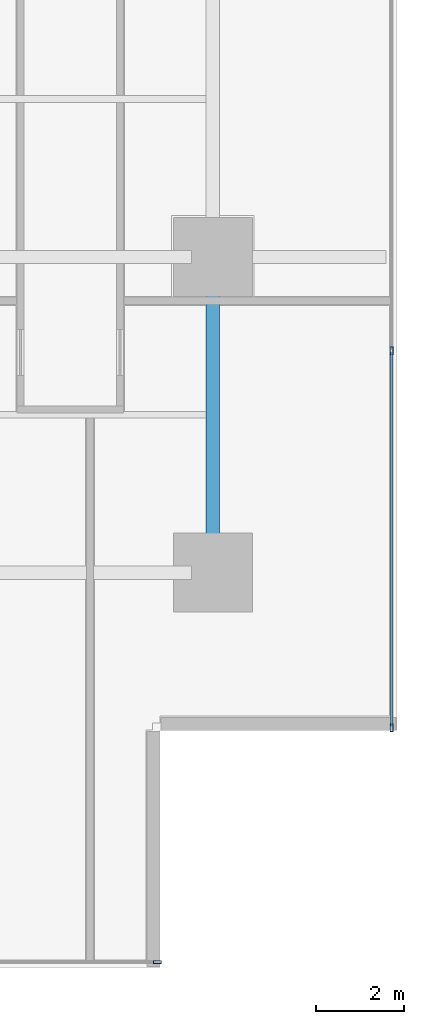
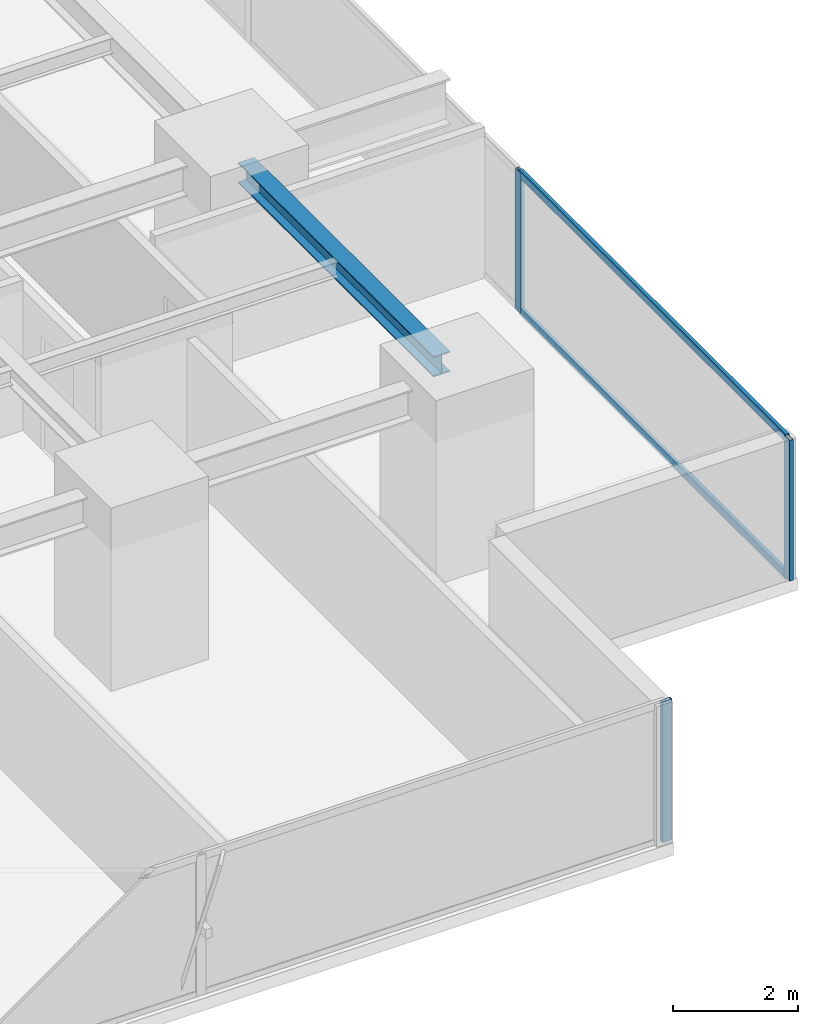
# One storey, part 13 of 34: 5 members, 1 beam, 2 elements without a shape of their own.
"""IFC4 building model written with IfcOpenShell, lengths in metres."""

from ifc_helpers import new_model, si_unit, direction, frame, origin, origin_2d, place, context, subcontext, project, spatial, hollow_rectangle, i_section, extrude, source, transform, mapped, material, layer, layer_set, material_profile, profile_set, type_object, element, aggregate, save


model = new_model("IFC4")

# Units and contexts
model_context = context("Model", 3, precision=1e-05, world=origin(), true_north=direction((0.0, 1.0)))
body_context = subcontext(model_context, "Body", "Model", "MODEL_VIEW")
ifc_project = project(units=[si_unit("LENGTHUNIT", "METRE"), si_unit("AREAUNIT", "SQUARE_METRE"), si_unit("VOLUMEUNIT", "CUBIC_METRE"), si_unit("PLANEANGLEUNIT", "RADIAN"), si_unit("MASSUNIT", "GRAM", prefix="KILO")], contexts=[model_context])

# Site, building, storey
site_placement = place(None, origin())
site = spatial("IfcSite", under=ifc_project, at=site_placement, CompositionType="ELEMENT")
building_placement = place(site_placement, origin())
building = spatial("IfcBuilding", under=site, at=building_placement, Name="Sumidabori Civic Tower", CompositionType="ELEMENT")
storey_placement = place(building_placement, frame((0.0, 0.0, 56.0)))
storey = spatial("IfcBuildingStorey", under=building, at=storey_placement, Name="L14", CompositionType="ELEMENT", Elevation=56.0)

# Beam
ifc_material_1 = material(Name="Steel SN490", Category="steel")
ifc_material_profile_1 = material_profile(ifc_material_1, i_section(OverallWidth=0.300048828125, OverallDepth=0.39990234375, WebThickness=0.013427734375, FlangeThickness=0.02392578125, at=origin_2d()), Name="HE 400 B")
ifc_profile_set_1 = profile_set([ifc_material_profile_1], Name="Steel SN490")
beam_type = type_object("IfcBeamType", Name="BM-GIRD-400", PredefinedType="BEAM", material=ifc_profile_set_1)
shared_shape_1 = source(origin(), body_context, "Body", "SweptSolid", [
    extrude(i_section(OverallWidth=0.300048828125, OverallDepth=0.39990234375, WebThickness=0.013427734375, FlangeThickness=0.02392578125, at=origin_2d()), origin(), (0.0, 0.0, 1.0), 6.239990234375),
])
beam_placement = place(storey_placement, frame((22.800048828125, -17.52001953125, 3.159912109375), z_axis=(0.0, 1.0, 0.0), x_axis=(-1.0, 0.0, 0.0)))
element("IfcBeam", 1, at=beam_placement, inside=storey, type_object=beam_type, Name="Primary Girder L14 GY-39", PredefinedType="BEAM", context=body_context, shape_type="MappedRepresentation", body=[
    mapped(shared_shape_1, transform((0.0, 0.0, 0.0), x_axis=(1.0, 0.0, 0.0), y_axis=(0.0, 1.0, 0.0), z_axis=(0.0, 0.0, 1.0), scale=1.0)),
])

# Curtain wall, member
ifc_material_2 = material(Name="Anodised Bronze Aluminium AW-6063-T6", Category="aluminium")
ifc_layer = layer(ifc_material_2, 0.179931640625, Name="Anodised Bronze Aluminium AW-6063-T6")
ifc_layer_set = layer_set([ifc_layer], Name="Anodised Bronze Aluminium AW-6063-T6")
curtain_wall_type = type_object("IfcCurtainWallType", Name="CW-SYS-2", PredefinedType="NOTDEFINED", material=ifc_layer_set)
curtain_wall_1_placement = place(storey_placement, origin())
curtain_wall_1 = element("IfcCurtainWall", 2, at=curtain_wall_1_placement, inside=storey, type_object=curtain_wall_type, Name="Curtain Wall CW:L14:R01", PredefinedType="NOTDEFINED")
ifc_material_profile_2 = material_profile(ifc_material_2, hollow_rectangle(XDim=0.070068359375, YDim=0.179931640625, WallThickness=0.006103515625, at=origin_2d()), Name="ALU MULLION 180x70")
ifc_profile_set_2 = profile_set([ifc_material_profile_2], Name="Anodised Bronze Aluminium AW-6063-T6")
member_type_1 = type_object("IfcMemberType", Name="CW-MUL-180", PredefinedType="MULLION", material=ifc_profile_set_2)
shared_shape_2 = source(origin(), body_context, "Body", "SweptSolid", [
    extrude(hollow_rectangle(XDim=0.070068359375, YDim=0.179931640625, WallThickness=0.006103515625, at=origin_2d()), origin(), (0.0, 0.0, 1.0), 2.739990234375),
])
member_1_placement = place(storey_placement, frame((21.534912109375, -26.8798828125, 0.0), z_axis=(0.0, 0.0, 1.0), x_axis=(0.0, 1.0, 0.0)))
member_1 = element("IfcMember", 3, at=member_1_placement, type_object=member_type_1, Name="CW-2 mullion 6", PredefinedType="MULLION", context=body_context, shape_type="MappedRepresentation", body=[
    mapped(shared_shape_2, transform((0.0, 0.0, 0.0), x_axis=(1.0, 0.0, 0.0), y_axis=(0.0, 1.0, 0.0), z_axis=(0.0, 0.0, 1.0), scale=1.0)),
])
aggregate(curtain_wall_1, [member_1])

# Curtain wall, members
curtain_wall_2_placement = place(storey_placement, origin())
curtain_wall_2 = element("IfcCurtainWall", 4, at=curtain_wall_2_placement, inside=storey, type_object=curtain_wall_type, Name="Curtain Wall CW:L14:R04", PredefinedType="NOTDEFINED")
member_2_placement = place(storey_placement, frame((26.8798828125, -21.534912109375, 0.0), z_axis=(0.0, 0.0, 1.0), x_axis=(-1.0, 0.0, 0.0)))
member_2 = element("IfcMember", 5, at=member_2_placement, type_object=member_type_1, Name="CW-2 mullion 1", PredefinedType="MULLION", context=body_context, shape_type="MappedRepresentation", body=[
    mapped(shared_shape_2, transform((0.0, 0.0, 0.0), x_axis=(1.0, 0.0, 0.0), y_axis=(0.0, 1.0, 0.0), z_axis=(0.0, 0.0, 1.0), scale=1.0)),
])
member_3_placement = place(storey_placement, frame((26.8798828125, -12.94189453125, 0.0), z_axis=(0.0, 0.0, 1.0), x_axis=(-1.0, 0.0, 0.0)))
member_3 = element("IfcMember", 6, at=member_3_placement, type_object=member_type_1, Name="CW-2 mullion 2", PredefinedType="MULLION", context=body_context, shape_type="MappedRepresentation", body=[
    mapped(shared_shape_2, transform((0.0, 0.0, 0.0), x_axis=(1.0, 0.0, 0.0), y_axis=(0.0, 1.0, 0.0), z_axis=(0.0, 0.0, 1.0), scale=1.0)),
])
ifc_material_profile_3 = material_profile(ifc_material_2, hollow_rectangle(XDim=0.06494140625, YDim=0.14990234375, WallThickness=0.0048828125, at=origin_2d()), Name="ALU TRANSOM 150x65")
ifc_profile_set_3 = profile_set([ifc_material_profile_3], Name="Anodised Bronze Aluminium AW-6063-T6")
member_type_2 = type_object("IfcMemberType", Name="CW-TRN-150", PredefinedType="USERDEFINED", material=ifc_profile_set_3)
shared_shape_3 = source(origin(), body_context, "Body", "SweptSolid", [
    extrude(hollow_rectangle(XDim=0.06494140625, YDim=0.14990234375, WallThickness=0.0048828125, at=origin_2d()), origin(), (0.0, 0.0, 1.0), 8.52294921875),
])
member_4_placement = place(storey_placement, frame((26.8798828125, -21.5, 0.032470703125), z_axis=(0.0, 1.0, 0.0), x_axis=(-1.0, 0.0, 0.0)))
member_4 = element("IfcMember", 7, at=member_4_placement, type_object=member_type_2, Name="CW-2 transom 1.1", ObjectType="TRANSOM", PredefinedType="USERDEFINED", context=body_context, shape_type="MappedRepresentation", body=[
    mapped(shared_shape_3, transform((0.0, 0.0, 0.0), x_axis=(1.0, 0.0, 0.0), y_axis=(0.0, 1.0, 0.0), z_axis=(0.0, 0.0, 1.0), scale=1.0)),
])
member_5_placement = place(storey_placement, frame((26.8798828125, -21.5, 2.70751953125), z_axis=(0.0, 1.0, 0.0), x_axis=(-1.0, 0.0, 0.0)))
member_5 = element("IfcMember", 8, at=member_5_placement, type_object=member_type_2, Name="CW-2 transom 1.2", ObjectType="TRANSOM", PredefinedType="USERDEFINED", context=body_context, shape_type="MappedRepresentation", body=[
    mapped(shared_shape_3, transform((0.0, 0.0, 0.0), x_axis=(1.0, 0.0, 0.0), y_axis=(0.0, 1.0, 0.0), z_axis=(0.0, 0.0, 1.0), scale=1.0)),
])
aggregate(curtain_wall_2, [member_2, member_3, member_4, member_5])

save(model, "model.ifc")
